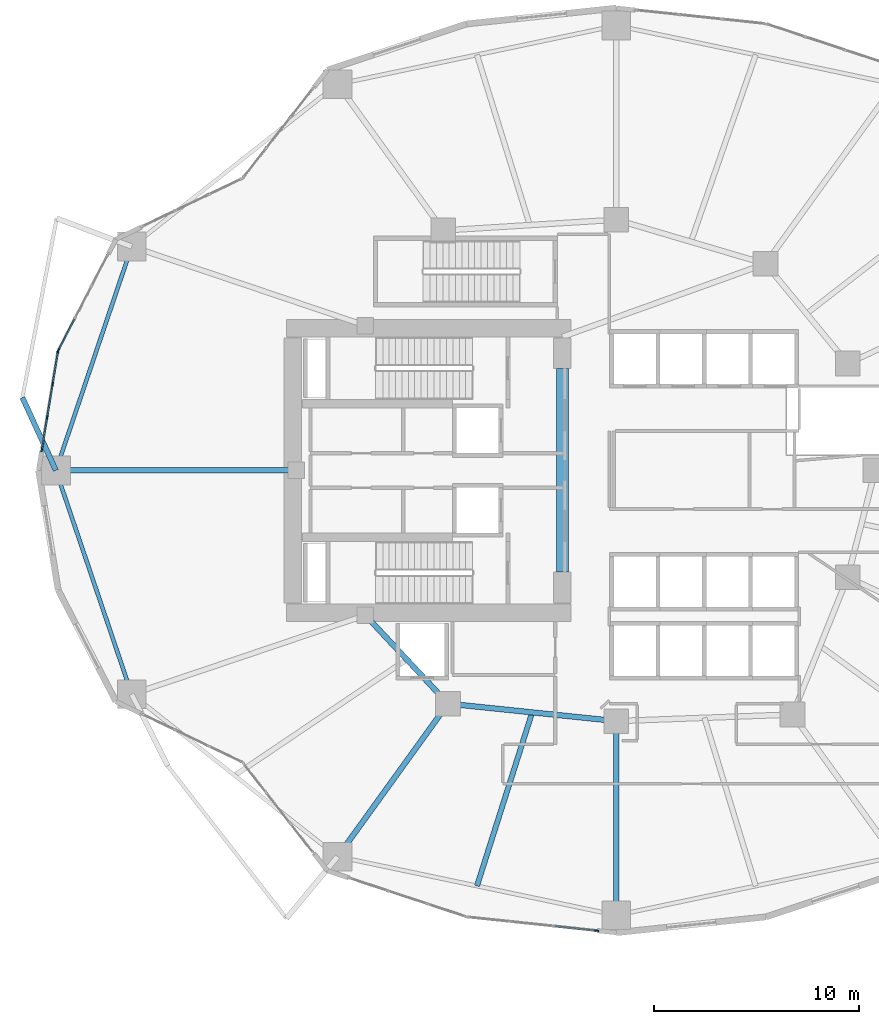
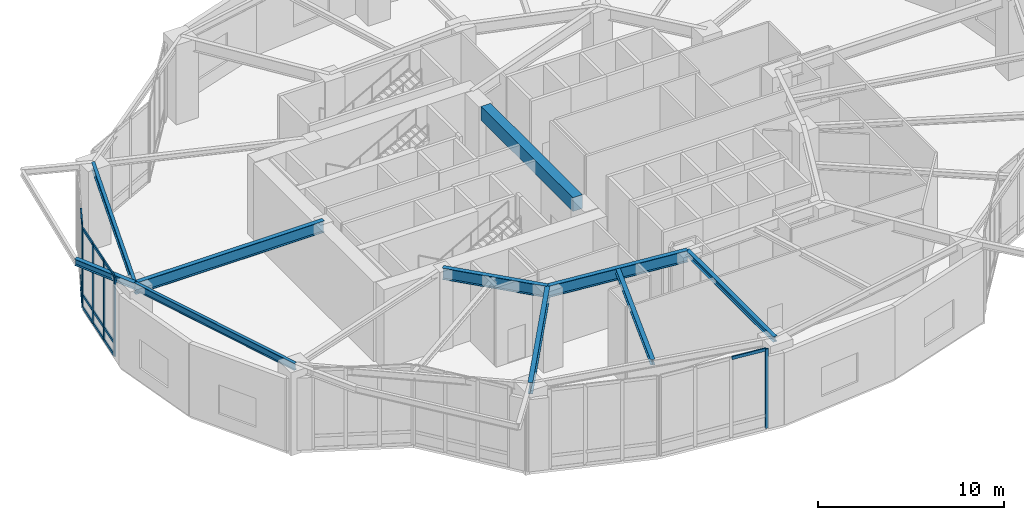
# One storey, part 6 of 29: 19 members, 10 beams, 3 elements without a shape of their own.
"""IFC4 building model written with IfcOpenShell, lengths in metres."""

from ifc_helpers import new_model, si_unit, direction, frame, origin, origin_2d, place, context, subcontext, project, spatial, rectangle, i_section, extrude, material, layer, layer_set, material_profile, profile_set, type_object, element, aggregate, save


model = new_model("IFC4")

# Units and contexts
model_context = context("Model", 3, precision=1e-05, world=origin(), true_north=direction((0.0, 1.0)))
body_context = subcontext(model_context, "Body", "Model", "MODEL_VIEW")
ifc_project = project(units=[si_unit("LENGTHUNIT", "METRE"), si_unit("AREAUNIT", "SQUARE_METRE"), si_unit("VOLUMEUNIT", "CUBIC_METRE"), si_unit("PLANEANGLEUNIT", "RADIAN"), si_unit("MASSUNIT", "GRAM", prefix="KILO")], contexts=[model_context])

# Site, building, storey
site_placement = place(None, origin())
site = spatial("IfcSite", under=ifc_project, at=site_placement, CompositionType="ELEMENT")
building_placement = place(site_placement, origin())
building = spatial("IfcBuilding", under=site, at=building_placement, Name="Kolvaren Gate Tower and Convention Centre", CompositionType="ELEMENT")
storey_placement = place(building_placement, frame((0.0, 0.0, 21.0)))
storey = spatial("IfcBuildingStorey", under=building, at=storey_placement, Name="L04", CompositionType="ELEMENT", Elevation=21.0)

# Curtain wall, member
ifc_material_1 = material(Name="Anodized Architectural Aluminium Alloy 6063-T6", Category="aluminium")
ifc_layer = layer(ifc_material_1, 0.179931640625)
ifc_layer_set = layer_set([ifc_layer], Name="Anodized Architectural Aluminium Alloy 6063-T6")
curtain_wall_type = type_object("IfcCurtainWallType", Name="CW-POD-GLZ", PredefinedType="NOTDEFINED", material=ifc_layer_set)
curtain_wall_1_placement = place(storey_placement, origin())
curtain_wall_1 = element("IfcCurtainWall", 1, at=curtain_wall_1_placement, inside=storey, type_object=curtain_wall_type, Name="Tower L04 Unitised Curtain Wall CW-POD-GLZ Bay 10", PredefinedType="NOTDEFINED")
ifc_material_profile_1 = material_profile(ifc_material_1, rectangle(XDim=0.074951171875, YDim=0.199951171875, at=origin_2d()), Name="CW-MEM-MUL-200")
ifc_profile_set_1 = profile_set([ifc_material_profile_1], Name="Anodized Architectural Aluminium Alloy 6063-T6")
member_type_1 = type_object("IfcMemberType", Name="CW-MEM-MUL-200", PredefinedType="MULLION", material=ifc_profile_set_1)
member_1_placement = place(storey_placement, frame((2.9755859375, 32.856689453125, 0.0), z_axis=(0.0, 0.0, 1.0), x_axis=(-0.888028058024, 0.459789264949, 0.0)))
member_1 = element("IfcMember", 2, at=member_1_placement, type_object=member_type_1, Name="CW-01 mullion 1", PredefinedType="MULLION", context=body_context, shape_type="SweptSolid", body=[
    extrude(rectangle(XDim=0.074951171875, YDim=0.199951171875, at=origin_2d()), origin(), (0.0, 0.0, 1.0), 5.219970703125),
])

# Curtain wall, members
curtain_wall_2_placement = place(storey_placement, origin())
curtain_wall_2 = element("IfcCurtainWall", 3, at=curtain_wall_2_placement, inside=storey, type_object=curtain_wall_type, Name="Tower L04 Unitised Curtain Wall CW-POD-GLZ Bay 11", PredefinedType="NOTDEFINED")
member_2_placement = place(storey_placement, frame((2.164794921875, 28.001953125, 0.0), z_axis=(0.0, 0.0, 1.0), x_axis=(-0.986728883059, 0.162376449454, 0.0)))
member_2 = element("IfcMember", 4, at=member_2_placement, type_object=member_type_1, Name="CW-01 mullion 1", PredefinedType="MULLION", context=body_context, shape_type="SweptSolid", body=[
    extrude(rectangle(XDim=0.074951171875, YDim=0.199951171875, at=origin_2d()), origin(), (0.0, 0.0, 1.0), 5.219970703125),
])
member_3_placement = place(storey_placement, frame((2.42529296875, 29.58447265625, 0.0), z_axis=(0.0, 0.0, 1.0), x_axis=(-0.986728883059, 0.162376449454, 0.0)))
member_3 = element("IfcMember", 5, at=member_3_placement, type_object=member_type_1, Name="CW-01 mullion 2", PredefinedType="MULLION", context=body_context, shape_type="SweptSolid", body=[
    extrude(rectangle(XDim=0.074951171875, YDim=0.199951171875, at=origin_2d()), origin(), (0.0, 0.0, 1.0), 5.219970703125),
])
member_4_placement = place(storey_placement, frame((2.69189453125, 31.203857421875, 0.0), z_axis=(0.0, 0.0, 1.0), x_axis=(-0.986728883059, 0.162376449454, 0.0)))
member_4 = element("IfcMember", 6, at=member_4_placement, type_object=member_type_1, Name="CW-01 mullion 3", PredefinedType="MULLION", context=body_context, shape_type="SweptSolid", body=[
    extrude(rectangle(XDim=0.074951171875, YDim=0.199951171875, at=origin_2d()), origin(), (0.0, 0.0, 1.0), 5.219970703125),
])
member_5_placement = place(storey_placement, frame((2.9521484375, 32.786376953125, 0.0), z_axis=(0.0, 0.0, 1.0), x_axis=(-0.986728883059, 0.162376449454, 0.0)))
member_5 = element("IfcMember", 7, at=member_5_placement, type_object=member_type_1, Name="CW-01 mullion 4", PredefinedType="MULLION", context=body_context, shape_type="SweptSolid", body=[
    extrude(rectangle(XDim=0.074951171875, YDim=0.199951171875, at=origin_2d()), origin(), (0.0, 0.0, 1.0), 5.219970703125),
])

# Curtain wall, member
curtain_wall_3_placement = place(storey_placement, origin())
curtain_wall_3 = element("IfcCurtainWall", 8, at=curtain_wall_3_placement, inside=storey, type_object=curtain_wall_type, Name="Tower L04 Unitised Curtain Wall CW-POD-GLZ Bay 17", PredefinedType="NOTDEFINED")
member_6_placement = place(storey_placement, frame((29.164306640625, 4.601318359375, 0.0), z_axis=(0.0, 0.0, 1.0), x_axis=(0.104741799872, 0.994499449653, 0.0)))
member_6 = element("IfcMember", 9, at=member_6_placement, type_object=member_type_1, Name="CW-01 mullion 4", PredefinedType="MULLION", context=body_context, shape_type="SweptSolid", body=[
    extrude(rectangle(XDim=0.074951171875, YDim=0.199951171875, at=origin_2d()), origin(), (0.0, 0.0, 1.0), 5.219970703125),
])

# Member
ifc_material_profile_2 = material_profile(ifc_material_1, rectangle(XDim=0.074951171875, YDim=0.199951171875, at=origin_2d()), Name="CW-MEM-TRN-200")
ifc_profile_set_2 = profile_set([ifc_material_profile_2], Name="Anodized Architectural Aluminium Alloy 6063-T6")
member_type_2 = type_object("IfcMemberType", Name="CW-MEM-TRN-200", PredefinedType="USERDEFINED", material=ifc_profile_set_2)
member_7_placement = place(storey_placement, frame((2.99267578125, 32.889892578125, 0.03759765625), z_axis=(0.459779568352, 0.888033078509, 0.0), x_axis=(-0.888033078509, 0.459779568352, 0.0)))
member_7 = element("IfcMember", 10, at=member_7_placement, type_object=member_type_2, Name="CW-01 transom 1.1", ObjectType="TRANSOM", PredefinedType="USERDEFINED", context=body_context, shape_type="SweptSolid", body=[
    extrude(rectangle(XDim=0.074951171875, YDim=0.199951171875, at=origin_2d()), origin(), (0.0, 0.0, 1.0), 1.6572265625),
])

member_8_placement = place(storey_placement, frame((2.99267578125, 32.889892578125, 0.85009765625), z_axis=(0.459779568352, 0.888033078509, 0.0), x_axis=(-0.888033078509, 0.459779568352, 0.0)))
member_8 = element("IfcMember", 11, at=member_8_placement, type_object=member_type_2, Name="CW-01 transom 1.2", ObjectType="TRANSOM", PredefinedType="USERDEFINED", context=body_context, shape_type="SweptSolid", body=[
    extrude(rectangle(XDim=0.074951171875, YDim=0.199951171875, at=origin_2d()), origin(), (0.0, 0.0, 1.0), 1.6572265625),
])

member_9_placement = place(storey_placement, frame((2.99267578125, 32.889892578125, 5.1826171875), z_axis=(0.459779568352, 0.888033078509, 0.0), x_axis=(-0.888033078509, 0.459779568352, 0.0)))
member_9 = element("IfcMember", 12, at=member_9_placement, type_object=member_type_2, Name="CW-01 transom 1.3", ObjectType="TRANSOM", PredefinedType="USERDEFINED", context=body_context, shape_type="SweptSolid", body=[
    extrude(rectangle(XDim=0.074951171875, YDim=0.199951171875, at=origin_2d()), origin(), (0.0, 0.0, 1.0), 1.6572265625),
])

aggregate(curtain_wall_1, [member_1, member_7, member_8, member_9])

member_10_placement = place(storey_placement, frame((2.1708984375, 28.0390625, 0.03759765625), z_axis=(0.162430279012, 0.98672002334, 0.0), x_axis=(-0.98672002334, 0.162430279012, 0.0)))
member_10 = element("IfcMember", 13, at=member_10_placement, type_object=member_type_2, Name="CW-01 transom 1.1", ObjectType="TRANSOM", PredefinedType="USERDEFINED", context=body_context, shape_type="SweptSolid", body=[
    extrude(rectangle(XDim=0.074951171875, YDim=0.199951171875, at=origin_2d()), origin(), (0.0, 0.0, 1.0), 1.528564453125),
])

member_11_placement = place(storey_placement, frame((2.1708984375, 28.0390625, 0.85009765625), z_axis=(0.162430279012, 0.98672002334, 0.0), x_axis=(-0.98672002334, 0.162430279012, 0.0)))
member_11 = element("IfcMember", 14, at=member_11_placement, type_object=member_type_2, Name="CW-01 transom 1.2", ObjectType="TRANSOM", PredefinedType="USERDEFINED", context=body_context, shape_type="SweptSolid", body=[
    extrude(rectangle(XDim=0.074951171875, YDim=0.199951171875, at=origin_2d()), origin(), (0.0, 0.0, 1.0), 1.528564453125),
])

member_12_placement = place(storey_placement, frame((2.1708984375, 28.0390625, 5.1826171875), z_axis=(0.162430279012, 0.98672002334, 0.0), x_axis=(-0.98672002334, 0.162430279012, 0.0)))
member_12 = element("IfcMember", 15, at=member_12_placement, type_object=member_type_2, Name="CW-01 transom 1.3", ObjectType="TRANSOM", PredefinedType="USERDEFINED", context=body_context, shape_type="SweptSolid", body=[
    extrude(rectangle(XDim=0.074951171875, YDim=0.199951171875, at=origin_2d()), origin(), (0.0, 0.0, 1.0), 1.528564453125),
])

member_13_placement = place(storey_placement, frame((2.431396484375, 29.62158203125, 0.03759765625), z_axis=(0.162426987198, 0.986720565221, 0.0), x_axis=(-0.986720565221, 0.162426987198, 0.0)))
member_13 = element("IfcMember", 16, at=member_13_placement, type_object=member_type_2, Name="CW-01 transom 2.1", ObjectType="TRANSOM", PredefinedType="USERDEFINED", context=body_context, shape_type="SweptSolid", body=[
    extrude(rectangle(XDim=0.074951171875, YDim=0.199951171875, at=origin_2d()), origin(), (0.0, 0.0, 1.0), 1.566162109375),
])

member_14_placement = place(storey_placement, frame((2.431396484375, 29.62158203125, 0.85009765625), z_axis=(0.162426987198, 0.986720565221, 0.0), x_axis=(-0.986720565221, 0.162426987198, 0.0)))
member_14 = element("IfcMember", 17, at=member_14_placement, type_object=member_type_2, Name="CW-01 transom 2.2", ObjectType="TRANSOM", PredefinedType="USERDEFINED", context=body_context, shape_type="SweptSolid", body=[
    extrude(rectangle(XDim=0.074951171875, YDim=0.199951171875, at=origin_2d()), origin(), (0.0, 0.0, 1.0), 1.566162109375),
])

member_15_placement = place(storey_placement, frame((2.431396484375, 29.62158203125, 5.1826171875), z_axis=(0.162426987198, 0.986720565221, 0.0), x_axis=(-0.986720565221, 0.162426987198, 0.0)))
member_15 = element("IfcMember", 18, at=member_15_placement, type_object=member_type_2, Name="CW-01 transom 2.3", ObjectType="TRANSOM", PredefinedType="USERDEFINED", context=body_context, shape_type="SweptSolid", body=[
    extrude(rectangle(XDim=0.074951171875, YDim=0.199951171875, at=origin_2d()), origin(), (0.0, 0.0, 1.0), 1.566162109375),
])

member_16_placement = place(storey_placement, frame((2.697998046875, 31.240966796875, 0.03759765625), z_axis=(0.162249200801, 0.986749814715, 0.0), x_axis=(-0.986749814715, 0.162249200801, 0.0)))
member_16 = element("IfcMember", 19, at=member_16_placement, type_object=member_type_2, Name="CW-01 transom 3.1", ObjectType="TRANSOM", PredefinedType="USERDEFINED", context=body_context, shape_type="SweptSolid", body=[
    extrude(rectangle(XDim=0.074951171875, YDim=0.199951171875, at=origin_2d()), origin(), (0.0, 0.0, 1.0), 1.52880859375),
])

member_17_placement = place(storey_placement, frame((2.697998046875, 31.240966796875, 0.85009765625), z_axis=(0.162249200801, 0.986749814715, 0.0), x_axis=(-0.986749814715, 0.162249200801, 0.0)))
member_17 = element("IfcMember", 20, at=member_17_placement, type_object=member_type_2, Name="CW-01 transom 3.2", ObjectType="TRANSOM", PredefinedType="USERDEFINED", context=body_context, shape_type="SweptSolid", body=[
    extrude(rectangle(XDim=0.074951171875, YDim=0.199951171875, at=origin_2d()), origin(), (0.0, 0.0, 1.0), 1.52880859375),
])

member_18_placement = place(storey_placement, frame((2.697998046875, 31.240966796875, 5.1826171875), z_axis=(0.162249200801, 0.986749814715, 0.0), x_axis=(-0.986749814715, 0.162249200801, 0.0)))
member_18 = element("IfcMember", 21, at=member_18_placement, type_object=member_type_2, Name="CW-01 transom 3.3", ObjectType="TRANSOM", PredefinedType="USERDEFINED", context=body_context, shape_type="SweptSolid", body=[
    extrude(rectangle(XDim=0.074951171875, YDim=0.199951171875, at=origin_2d()), origin(), (0.0, 0.0, 1.0), 1.52880859375),
])

aggregate(curtain_wall_2, [member_2, member_3, member_4, member_5, member_10, member_11, member_12, member_13, member_14, member_15, member_16, member_17, member_18])

member_19_placement = place(storey_placement, frame((27.1201171875, 4.81640625, 5.1826171875), z_axis=(0.994508767121, -0.104653294837, 0.0), x_axis=(0.104653294837, 0.994508767121, 0.0)))
member_19 = element("IfcMember", 22, at=member_19_placement, type_object=member_type_2, Name="CW-01 transom 3.3", ObjectType="TRANSOM", PredefinedType="USERDEFINED", context=body_context, shape_type="SweptSolid", body=[
    extrude(rectangle(XDim=0.074951171875, YDim=0.199951171875, at=origin_2d()), origin(), (0.0, 0.0, 1.0), 2.017822265625),
])

aggregate(curtain_wall_3, [member_6, member_19])

# Beams
ifc_material_2 = material(Name="Structural steel ASTM A992 Grade 345 MPa", Category="steel")
ifc_material_profile_3 = material_profile(ifc_material_2, i_section(OverallWidth=0.260009765625, OverallDepth=0.419921875, WebThickness=0.013427734375, FlangeThickness=0.0224609375, at=origin_2d()), Name="W410X132")
ifc_profile_set_3 = profile_set([ifc_material_profile_3], Name="Structural steel ASTM A992 Grade 345 MPa")
beam_type_1 = type_object("IfcBeamType", Name="STR-BM-W410X132", PredefinedType="BEAM", material=ifc_profile_set_3)
beam_1_placement = place(storey_placement, frame((2.85009765625, 27.0, 5.010498046875), z_axis=(-0.41777954008, 0.908548433431, 0.0), x_axis=(-0.908548433431, -0.41777954008, 0.0)))
element("IfcBeam", 23, at=beam_1_placement, inside=storey, type_object=beam_type_1, Name="Tower L05 Planted Balcony Outrigger Cantilever BC-2B", PredefinedType="BEAM", context=body_context, shape_type="SweptSolid", body=[
    extrude(i_section(OverallWidth=0.260009765625, OverallDepth=0.419921875, WebThickness=0.013427734375, FlangeThickness=0.0224609375, at=origin_2d()), origin(), (0.0, 0.0, 1.0), 3.900146484375),
])
ifc_material_profile_4 = material_profile(ifc_material_2, i_section(OverallWidth=0.26806640625, OverallDepth=0.758056640625, WebThickness=0.016357421875, FlangeThickness=0.025390625, at=origin_2d()), Name="W760X220")
ifc_profile_set_4 = profile_set([ifc_material_profile_4], Name="Structural steel ASTM A992 Grade 345 MPa")
beam_type_2 = type_object("IfcBeamType", Name="STR-BM-W760X220", PredefinedType="BEAM", material=ifc_profile_set_4)
beam_2_placement = place(storey_placement, frame((17.9140625, 19.949951171875, 4.841064453125), z_axis=(0.682557592987, -0.730831808459, 0.0), x_axis=(0.730831808459, 0.682557592987, 0.0)))
element("IfcBeam", 24, at=beam_2_placement, inside=storey, type_object=beam_type_2, Name="Tower L04 Primary Ring Girder G-06", PredefinedType="BEAM", context=body_context, shape_type="SweptSolid", body=[
    extrude(i_section(OverallWidth=0.26806640625, OverallDepth=0.758056640625, WebThickness=0.016357421875, FlangeThickness=0.025390625, at=origin_2d()), origin(), (0.0, 0.0, 1.0), 5.88671875),
])
beam_3_placement = place(storey_placement, frame((21.93212890625, 15.647705078125, 4.841064453125), z_axis=(0.994690329115, -0.102913308978, 0.0), x_axis=(0.102913308978, 0.994690329115, 0.0)))
element("IfcBeam", 25, at=beam_3_placement, inside=storey, type_object=beam_type_2, Name="Tower L04 Primary Ring Girder G-07", PredefinedType="BEAM", context=body_context, shape_type="SweptSolid", body=[
    extrude(i_section(OverallWidth=0.26806640625, OverallDepth=0.758056640625, WebThickness=0.016357421875, FlangeThickness=0.025390625, at=origin_2d()), origin(), (0.0, 0.0, 1.0), 8.236572265625),
])
beam_4_placement = place(storey_placement, frame((14.550048828125, 27.0, 4.841064453125), z_axis=(-1.0, 0.0, 0.0), x_axis=(0.0, -1.0, 0.0)))
element("IfcBeam", 26, at=beam_4_placement, inside=storey, type_object=beam_type_2, Name="Tower L04 Radial Floor Girder RB-07", PredefinedType="BEAM", context=body_context, shape_type="SweptSolid", body=[
    extrude(i_section(OverallWidth=0.26806640625, OverallDepth=0.758056640625, WebThickness=0.016357421875, FlangeThickness=0.025390625, at=origin_2d()), origin(), (0.0, 0.0, 1.0), 11.699951171875),
])
beam_5_placement = place(storey_placement, frame((21.93212890625, 15.647705078125, 4.841064453125), z_axis=(-0.585206018873, -0.810884649919, 0.0), x_axis=(0.810884649919, -0.585206018873, 0.0)))
element("IfcBeam", 27, at=beam_5_placement, inside=storey, type_object=beam_type_2, Name="Tower L04 Radial Floor Girder RB-09", PredefinedType="BEAM", context=body_context, shape_type="SweptSolid", body=[
    extrude(i_section(OverallWidth=0.26806640625, OverallDepth=0.758056640625, WebThickness=0.016357421875, FlangeThickness=0.025390625, at=origin_2d()), origin(), (0.0, 0.0, 1.0), 9.18017578125),
])
ifc_material_profile_5 = material_profile(ifc_material_2, i_section(OverallWidth=0.2548828125, OverallDepth=0.35693359375, WebThickness=0.010498046875, FlangeThickness=0.018310546875, at=origin_2d()), Name="W360X101")
ifc_profile_set_5 = profile_set([ifc_material_profile_5], Name="Structural steel ASTM A992 Grade 345 MPa")
beam_type_3 = type_object("IfcBeamType", Name="STR-JS-W360X101", PredefinedType="JOIST", material=ifc_profile_set_5)
beam_6_placement = place(storey_placement, frame((30.125, 14.800048828125, 5.04150390625), z_axis=(0.0, -1.0, 0.0), x_axis=(1.0, 0.0, 0.0)))
element("IfcBeam", 28, at=beam_6_placement, inside=storey, type_object=beam_type_3, Name="Tower L04 Radial Floor Girder RB-10", PredefinedType="JOIST", context=body_context, shape_type="SweptSolid", body=[
    extrude(i_section(OverallWidth=0.2548828125, OverallDepth=0.35693359375, WebThickness=0.010498046875, FlangeThickness=0.018310546875, at=origin_2d()), origin(), (0.0, 0.0, 1.0), 9.449951171875),
])
beam_7_placement = place(storey_placement, frame((26.028564453125, 15.223876953125, 5.04150390625), z_axis=(-0.303059270932, -0.952971709078, 0.0), x_axis=(0.952971709078, -0.303059270932, 0.0)))
element("IfcBeam", 29, at=beam_7_placement, inside=storey, type_object=beam_type_3, Name="Tower L04 Secondary Composite Floor Joist J-09.1", PredefinedType="JOIST", context=body_context, shape_type="SweptSolid", body=[
    extrude(i_section(OverallWidth=0.2548828125, OverallDepth=0.35693359375, WebThickness=0.010498046875, FlangeThickness=0.018310546875, at=origin_2d()), origin(), (0.0, 0.0, 1.0), 8.86376953125),
])
ifc_material_3 = material(Name="Concrete C60/75", Category="concrete")
ifc_material_profile_6 = material_profile(ifc_material_3, rectangle(XDim=0.60009765625, YDim=0.89990234375, at=origin_2d()), Name="RC-BM-600X900")
ifc_profile_set_6 = profile_set([ifc_material_profile_6], Name="Concrete C60/75")
beam_type_4 = type_object("IfcBeamType", Name="STR-LN-RC600X900", PredefinedType="LINTEL", material=ifc_profile_set_6)
beam_8_placement = place(storey_placement, frame((27.5, 22.050048828125, 4.77001953125), z_axis=(0.0, 1.0, 0.0), x_axis=(-1.0, 0.0, 0.0)))
element("IfcBeam", 30, at=beam_8_placement, inside=storey, type_object=beam_type_4, Name="Tower L04 Core Ductile Coupling Beam CB-01", PredefinedType="LINTEL", context=body_context, shape_type="SweptSolid", body=[
    extrude(rectangle(XDim=0.60009765625, YDim=0.89990234375, at=origin_2d()), origin(), (0.0, 0.0, 1.0), 9.89990234375),
])
ifc_material_profile_7 = material_profile(ifc_material_2, i_section(OverallWidth=0.194091796875, OverallDepth=0.468994140625, WebThickness=0.0126953125, FlangeThickness=0.0205078125, at=origin_2d()), Name="W460X106")
ifc_profile_set_7 = profile_set([ifc_material_profile_7], Name="Structural steel ASTM A992 Grade 345 MPa")
beam_type_5 = type_object("IfcBeamType", Name="STR-SP-W460X106", PredefinedType="SPANDREL", material=ifc_profile_set_7)
for number, where, z_axis, x_axis, name in (
    (31, (6.539794921875, 37.8935546875, 4.985595703125), (-0.320802733798, -0.947146032029, 0.0), (0.947146032029, -0.320802733798, 0.0), "Tower L04 Perimeter Spandrel Beam SP-06"),
    (32, (2.85009765625, 27.0, 4.985595703125), (0.320802733798, -0.947146032029, 0.0), (0.947146032029, 0.320802733798, 0.0), "Tower L04 Perimeter Spandrel Beam SP-07"),
):
    element("IfcBeam", number, at=place(storey_placement, frame(where, z_axis=z_axis, x_axis=x_axis)), inside=storey, type_object=beam_type_5, Name=name, PredefinedType="SPANDREL", context=body_context, shape_type="SweptSolid", body=[
        extrude(i_section(OverallWidth=0.194091796875, OverallDepth=0.468994140625, WebThickness=0.0126953125, FlangeThickness=0.0205078125, at=origin_2d()), origin(), (0.0, 0.0, 1.0), 11.50146484375),
    ])

save(model, "model.ifc")
